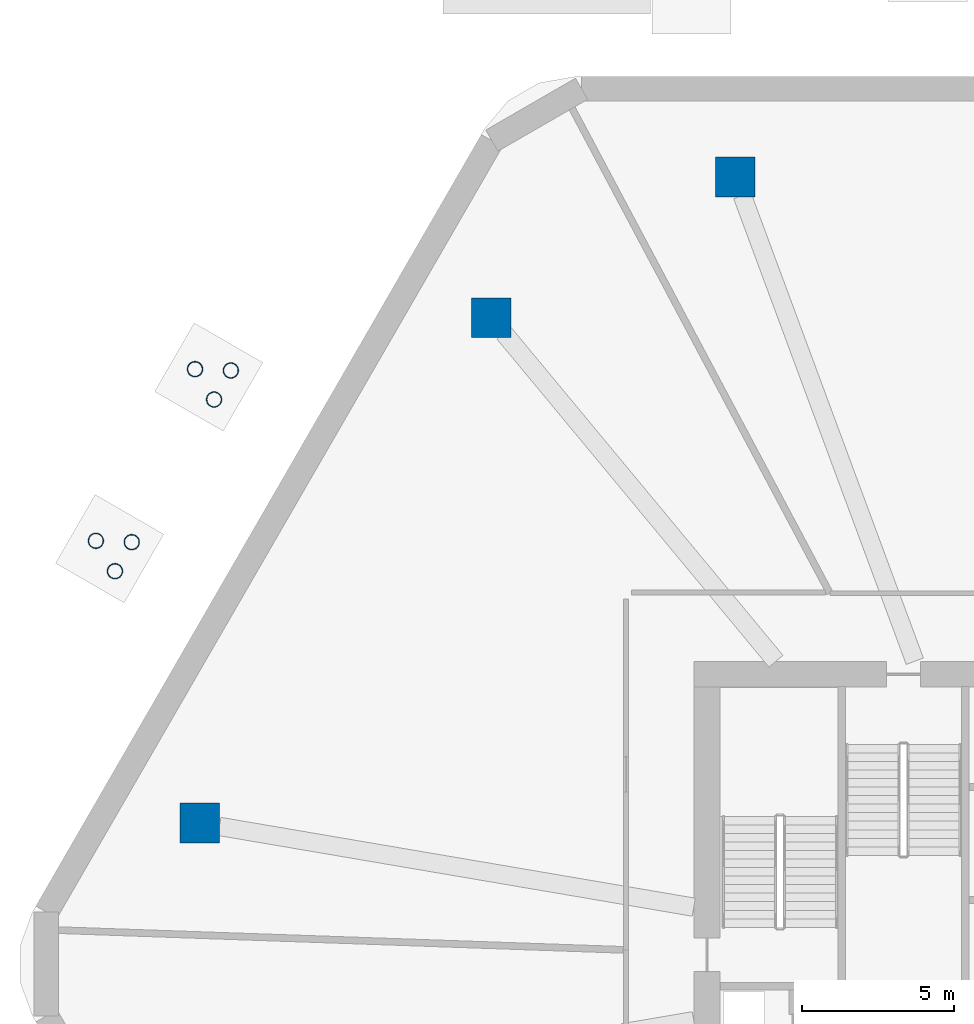
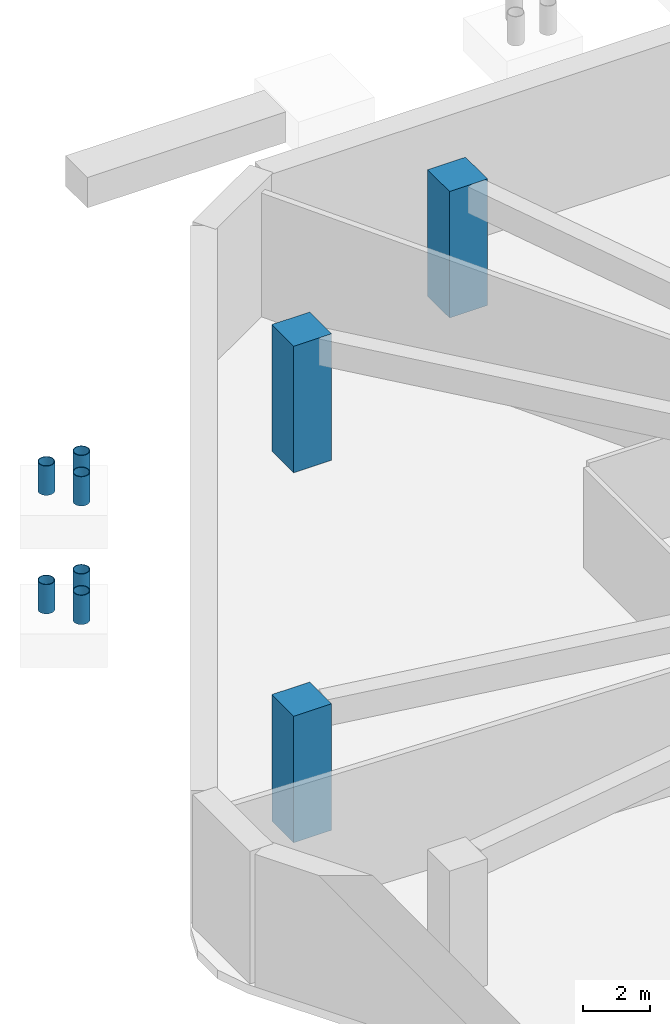
# One storey, part 4 of 10: 9 columns.
"""IFC4 building model written with IfcOpenShell, lengths in metres."""

import ifcopenshell
import ifcopenshell.guid

model = None  # the IFC model being written
_history = None  # IfcOwnerHistory: only IFC2X3 demands one
_inside = {}  # id of a spatial element -> (the spatial element, [elements in it])
_under = {}  # id of a project, library or spatial element -> (it, [spatial elements below it])
_declared = {}  # id of a project -> (the project, [libraries it declares])
_typed = {}  # id of a type object -> (the type object, [elements of that type])
_made_of = {}  # id of a material, layer set ... -> (it, [elements and type objects made of it])


def new_model(schema):
    """Start an empty IFC model of exactly this schema.

    Asked for "IFC4X3", IfcOpenShell would pick the latest addendum, in which some entities
    have other attributes; the version numbers below select the first issue.
    IFC2X3 requires an IfcOwnerHistory on every rooted entity: one is made here for all.
    """
    global model, _history
    if schema == "IFC4X3":
        model = ifcopenshell.file(schema_version=(4, 3, 0, 0))
    else:
        model = ifcopenshell.file(schema=schema)
    _inside.clear()
    _under.clear()
    _declared.clear()
    _typed.clear()
    _made_of.clear()
    _history = None
    if model.schema == "IFC2X3":
        org = make("IfcOrganization", Name="unknown")
        user = make(
            "IfcPersonAndOrganization",
            ThePerson=make("IfcPerson", FamilyName="unknown"),
            TheOrganization=org,
        )
        app = make(
            "IfcApplication",
            ApplicationDeveloper=org,
            Version="unknown",
            ApplicationFullName="unknown",
            ApplicationIdentifier="unknown",
        )
        _history = make(
            "IfcOwnerHistory",
            OwningUser=user,
            OwningApplication=app,
            ChangeAction="ADDED",
            CreationDate=0,
        )
    return model


def make(cls, **values):
    """One entity of the class cls with the attributes given. An attribute that is None is left unset."""
    return model.create_entity(
        cls, **{name: value for name, value in values.items() if value is not None}
    )


def rooted(cls, **values):
    """An entity with a GlobalId (a new one), such as an element, a storey or a relation."""
    return make(cls, GlobalId=ifcopenshell.guid.new(), OwnerHistory=_history, **values)


def si_unit(unit_type, name, prefix=None):
    """IfcSIUnit, for example si_unit("LENGTHUNIT", "METRE", prefix="MILLI")."""
    return make("IfcSIUnit", UnitType=unit_type, Prefix=prefix, Name=name)


def assignment(units):
    """IfcUnitAssignment: the units of a project."""
    return None if units is None else make("IfcUnitAssignment", Units=units)


def point(xyz):
    """IfcCartesianPoint."""
    return None if xyz is None else make("IfcCartesianPoint", Coordinates=xyz)


def direction(xyz):
    """IfcDirection."""
    return None if xyz is None else make("IfcDirection", DirectionRatios=xyz)


def frame(location, z_axis=None, x_axis=None):
    """IfcAxis2Placement3D, a coordinate frame: its origin and axes. An axis left out is left unset."""
    return make(
        "IfcAxis2Placement3D",
        Location=point(location),
        Axis=direction(z_axis),
        RefDirection=direction(x_axis),
    )


def frame_2d(location, x_axis=None):
    """IfcAxis2Placement2D, a coordinate frame in the plane: its origin and x axis."""
    return make(
        "IfcAxis2Placement2D", Location=point(location), RefDirection=direction(x_axis)
    )


def origin():
    """The frame at (0, 0, 0) with its axes left unset."""
    return frame((0.0, 0.0, 0.0))


def origin_2d():
    """The frame at (0, 0) in the plane with its x axis left unset."""
    return frame_2d((0.0, 0.0))


def place(relative_to, where):
    """IfcLocalPlacement: puts the frame where relative to a parent placement (None: the world)."""
    return make(
        "IfcLocalPlacement", PlacementRelTo=relative_to, RelativePlacement=where
    )


def context(
    kind, dimensions, precision=None, world=None, true_north=None, identifier=None
):
    """IfcGeometricRepresentationContext, for example the 3D "Model" context."""
    return make(
        "IfcGeometricRepresentationContext",
        ContextIdentifier=identifier,
        ContextType=kind,
        CoordinateSpaceDimension=dimensions,
        Precision=precision,
        WorldCoordinateSystem=world,
        TrueNorth=true_north,
    )


def subcontext(parent, identifier, kind, view, scale=None):
    """IfcGeometricRepresentationSubContext, for example "Body" below "Model"."""
    return make(
        "IfcGeometricRepresentationSubContext",
        ContextIdentifier=identifier,
        ContextType=kind,
        ParentContext=parent,
        TargetScale=scale,
        TargetView=view,
    )


def project(units=None, contexts=None):
    """IfcProject with its units and contexts."""
    return rooted(
        "IfcProject",
        Name="project",
        RepresentationContexts=contexts,
        UnitsInContext=assignment(units),
    )


def spatial(cls, under=None, at=None, **own):
    """A site, building, storey or space (cls), placed at a placement, below another one or the project."""
    s = rooted(cls, ObjectPlacement=at, **own)
    if under is not None:
        _under.setdefault(under.id(), (under, []))[1].append(s)
    return s


def profile(cls, at=None, kind="AREA", **sizes):
    """A parametric profile (cls). Its sizes go by their IFC names, for example OverallWidth=200.0."""
    return make(cls, ProfileType=kind, Position=at, **sizes)


def rectangle(**sizes):
    """IfcRectangleProfileDef."""
    return profile("IfcRectangleProfileDef", **sizes)


def hollow_circle(**sizes):
    """IfcCircleHollowProfileDef."""
    return profile("IfcCircleHollowProfileDef", **sizes)


def extrude(swept, where, along, depth):
    """IfcExtrudedAreaSolid: the profile swept, set in the frame where, extruded along a direction by depth."""
    return make(
        "IfcExtrudedAreaSolid",
        SweptArea=swept,
        Position=where,
        ExtrudedDirection=direction(along),
        Depth=depth,
    )


def shape(context_of_items, identifier, shape_type, items):
    """IfcShapeRepresentation: the items that make up one representation, for example the "Body"."""
    return make(
        "IfcShapeRepresentation",
        ContextOfItems=context_of_items,
        RepresentationIdentifier=identifier,
        RepresentationType=shape_type,
        Items=items,
    )


def material(Name=None, Category=None):
    """IfcMaterial."""
    return make("IfcMaterial", Name=Name, Category=Category)


def material_profile(
    of_material, cross_section, Name=None, Category=None, Priority=None
):
    """IfcMaterialProfile: a cross section and its material."""
    return make(
        "IfcMaterialProfile",
        Name=Name,
        Material=of_material,
        Profile=cross_section,
        Priority=Priority,
        Category=Category,
    )


def profile_set(profiles, Name=None, composite=None):
    """IfcMaterialProfileSet."""
    return make(
        "IfcMaterialProfileSet",
        Name=Name,
        MaterialProfiles=profiles,
        CompositeProfile=composite,
    )


def made_of(thing, what):
    """Note that an element or type object is made of a material, layer set ...; save() writes the relation."""
    if what is not None:
        _made_of.setdefault(what.id(), (what, []))[1].append(thing)
    return thing


def type_object(cls, material=None, **own):
    """A type object (cls), such as IfcWallType, which elements share."""
    return made_of(rooted(cls, **own), material)


def element(
    cls,
    number,
    at=None,
    inside=None,
    cuts=None,
    type_object=None,
    material=None,
    context=None,
    identifier="Body",
    shape_type=None,
    held_by="IfcProductDefinitionShape",
    body=None,
    shapes=None,
    **own,
):
    """One element of the class cls, such as IfcWall. Its Tag is "e" and its number.

    at: its placement. inside: the storey or other place that contains it. cuts: it is an
    opening in that element (IfcRelVoidsElement). A single representation is given by context,
    identifier, shape_type and body (its items); several are given by shapes. held_by: the class
    of the entity that holds the representations. save() writes the other relations.
    """
    e = rooted(cls, Tag="e%d" % number, ObjectPlacement=at, **own)
    if body is not None:
        shapes = [shape(context, identifier, shape_type, body)]
    if shapes is not None:
        e.Representation = make(held_by, Representations=shapes)
    if inside is not None:
        _inside.setdefault(inside.id(), (inside, []))[1].append(e)
    if cuts is not None:
        rooted(
            "IfcRelVoidsElement", RelatingBuildingElement=cuts, RelatedOpeningElement=e
        )
    if type_object is not None:
        _typed.setdefault(type_object.id(), (type_object, []))[1].append(e)
    return made_of(e, material)


def aggregate(whole, parts):
    """IfcRelAggregates: a whole, such as a stair, and the parts it consists of."""
    return rooted("IfcRelAggregates", RelatingObject=whole, RelatedObjects=parts)


def save(model, path):
    """Write the relations noted so far, then the file.

    IfcRelAggregates (storeys below a building ...), IfcRelContainedInSpatialStructure (elements
    in a storey), IfcRelDefinesByType, IfcRelAssociatesMaterial and IfcRelDeclares: one each for
    every whole, place, type object, material and project.
    """
    for whole, parts in _under.values():
        aggregate(whole, parts)
    for where, things in _inside.values():
        rooted(
            "IfcRelContainedInSpatialStructure",
            RelatedElements=things,
            RelatingStructure=where,
        )
    for kind, things in _typed.values():
        rooted("IfcRelDefinesByType", RelatedObjects=things, RelatingType=kind)
    for what, things in _made_of.values():
        rooted("IfcRelAssociatesMaterial", RelatedObjects=things, RelatingMaterial=what)
    for by, libraries in _declared.values():
        rooted("IfcRelDeclares", RelatingContext=by, RelatedDefinitions=libraries)
    model.write(path)


model = new_model("IFC4")

# Units and contexts
model_context = context("Model", 3, precision=1e-05, world=origin(), true_north=direction((0.0, 1.0)))
body_context = subcontext(model_context, "Body", "Model", "MODEL_VIEW")
ifc_project = project(units=[si_unit("LENGTHUNIT", "METRE"), si_unit("AREAUNIT", "SQUARE_METRE"), si_unit("VOLUMEUNIT", "CUBIC_METRE"), si_unit("PLANEANGLEUNIT", "RADIAN"), si_unit("MASSUNIT", "GRAM", prefix="KILO")], contexts=[model_context])

# Site, building, storey
site_placement = place(None, origin())
site = spatial("IfcSite", under=ifc_project, at=site_placement, CompositionType="ELEMENT")
building_placement = place(site_placement, origin())
building = spatial("IfcBuilding", under=site, at=building_placement, Name="Zuhravey Tower", CompositionType="ELEMENT")
storey_placement = place(building_placement, frame((0.0, 0.0, -4.800048828125)))
storey = spatial("IfcBuildingStorey", under=building, at=storey_placement, Name="B01", CompositionType="ELEMENT", Elevation=-4.800048828125)

# Columns
ifc_material_1 = material(Name="Concrete C60/75", Category="concrete")
ifc_material_profile_1 = material_profile(ifc_material_1, rectangle(XDim=1.300048828125, YDim=1.300048828125, at=origin_2d()), Name="RC-1300x1300")
ifc_profile_set_1 = profile_set([ifc_material_profile_1], Name="Concrete C60/75")
column_type_1 = type_object("IfcColumnType", Name="Basement Column 1300x1300", PredefinedType="COLUMN", material=ifc_profile_set_1)
for number, where, z_axis, x_axis, name in (
    (1, (26.43603515625, 57.8076171875, 0.0), (0.0, 0.0, 1.0), (1.0, 0.0, 0.0), "B01 Basement Column BC1-04"),
    (2, (18.431884765625, 53.1865234375, 0.0), (0.0, 0.0, 1.0), (1.0, 0.0, 0.0), "B01 Basement Column BC1-05"),
    (3, (8.867919921875, 36.62109375, 0.0), (0.0, 0.0, 1.0), (1.0, 0.0, 0.0), "B01 Basement Column BC1-06"),
):
    element("IfcColumn", number, at=place(storey_placement, frame(where, z_axis=z_axis, x_axis=x_axis)), inside=storey, type_object=column_type_1, Name=name, PredefinedType="COLUMN", context=body_context, shape_type="SweptSolid", body=[
        extrude(rectangle(XDim=1.300048828125, YDim=1.300048828125, at=origin_2d()), origin(), (0.0, 0.0, 1.0), 4.580078125),
    ])
ifc_material_2 = material(Name="Steel SM355", Category="steel")
ifc_material_profile_2 = material_profile(ifc_material_2, hollow_circle(Radius=0.25390625, WallThickness=0.02001953125, at=origin_2d()), Name="CHS-508x20")
ifc_profile_set_2 = profile_set([ifc_material_profile_2], Name="Steel SM355")
column_type_2 = type_object("IfcColumnType", Name="Lobby Pavilion Column CHS508x20", PredefinedType="COLUMN", material=ifc_profile_set_2)
for number, where, z_axis, x_axis, name in (
    (4, (6.64208984375, 45.832275390625, 3.420166015625), (0.0, 0.0, 1.0), (1.0, 0.0, 0.0), "B01 Ramp 3 TOP Support Pier 1"),
    (5, (6.092041015625, 44.879638671875, 3.420166015625), (0.0, 0.0, 1.0), (1.0, 0.0, 0.0), "B01 Ramp 3 TOP Support Pier 2"),
    (6, (5.46630859375, 45.8759765625, 3.420166015625), (0.0, 0.0, 1.0), (1.0, 0.0, 0.0), "B01 Ramp 3 TOP Support Pier 3"),
    (7, (9.89208984375, 51.461181640625, 3.16015625), (0.0, 0.0, 1.0), (1.0, 0.0, 0.0), "B01 Ramp 3 BOT Support Pier 1"),
    (8, (9.342041015625, 50.5087890625, 3.16015625), (0.0, 0.0, 1.0), (1.0, 0.0, 0.0), "B01 Ramp 3 BOT Support Pier 2"),
    (9, (8.71630859375, 51.5048828125, 3.16015625), (0.0, 0.0, 1.0), (1.0, 0.0, 0.0), "B01 Ramp 3 BOT Support Pier 3"),
):
    element("IfcColumn", number, at=place(storey_placement, frame(where, z_axis=z_axis, x_axis=x_axis)), inside=storey, type_object=column_type_2, Name=name, PredefinedType="COLUMN", context=body_context, shape_type="SweptSolid", body=[
        extrude(hollow_circle(Radius=0.25390625, WallThickness=0.02001953125, at=origin_2d()), origin(), (0.0, 0.0, 1.0), 1.059814453125),
    ])

save(model, "model.ifc")
